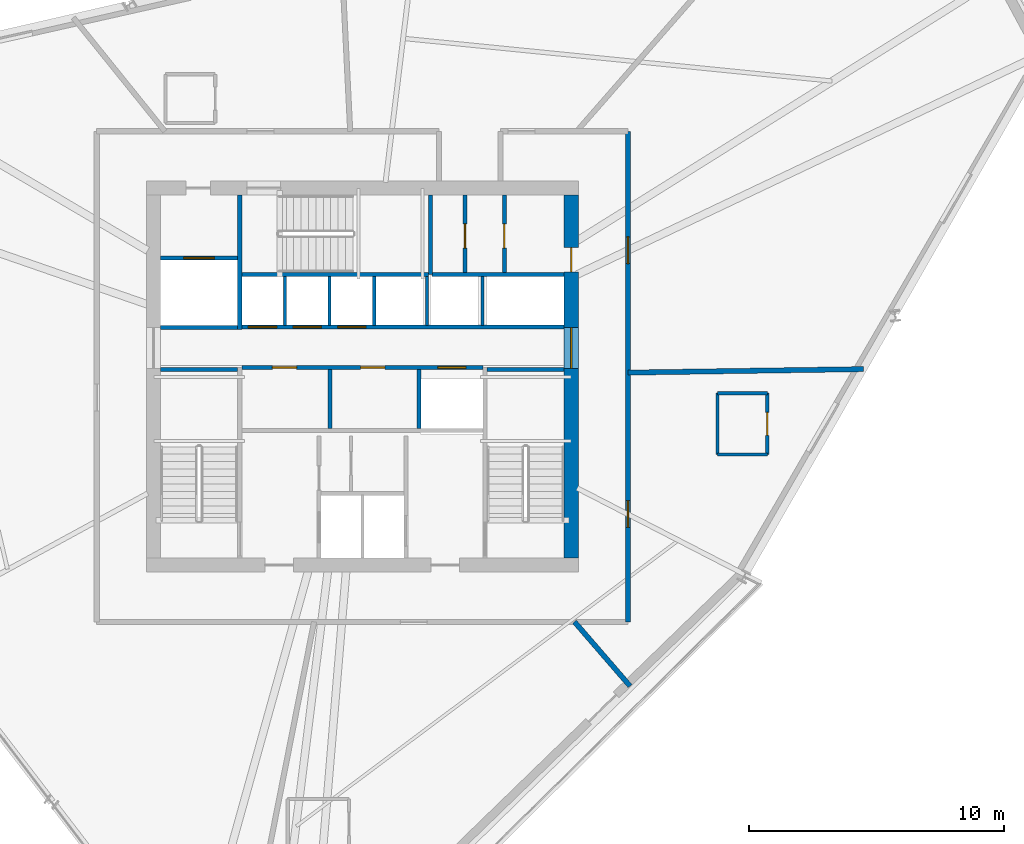
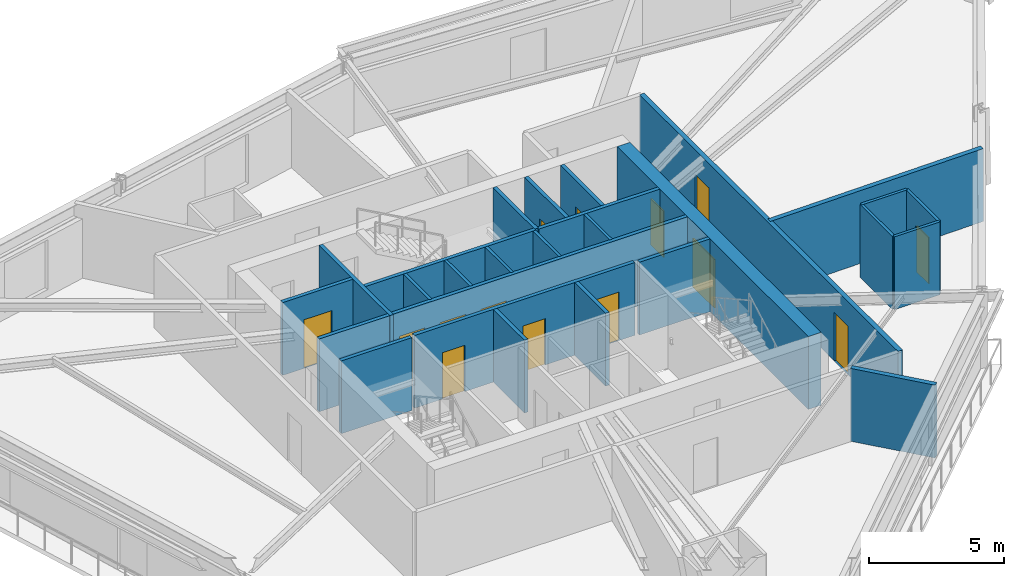
# One storey, part 9 of 14: 27 walls, 14 doors, 14 openings.
"""IFC4 building model written with IfcOpenShell, lengths in metres."""

from ifc_helpers import new_model, si_unit, direction, frame, frame_2d, origin, place, context, subcontext, project, spatial, rectangle, extrude, source, transform, mapped, material, layer, layer_set, type_object, type_shapes, element, fill, save


model = new_model("IFC4")

# Units and contexts
model_context = context("Model", 3, precision=1e-05, world=origin(), true_north=direction((0.0, 1.0)))
body_context = subcontext(model_context, "Body", "Model", "MODEL_VIEW")
ifc_project = project(units=[si_unit("LENGTHUNIT", "METRE"), si_unit("AREAUNIT", "SQUARE_METRE"), si_unit("VOLUMEUNIT", "CUBIC_METRE"), si_unit("PLANEANGLEUNIT", "RADIAN"), si_unit("MASSUNIT", "GRAM", prefix="KILO")], contexts=[model_context])

# Site, building, storey
site_placement = place(None, origin())
site = spatial("IfcSite", under=ifc_project, at=site_placement, CompositionType="ELEMENT")
building_placement = place(site_placement, origin())
building = spatial("IfcBuilding", under=site, at=building_placement, Name="Olszyna Solenne Hotel", CompositionType="ELEMENT")
storey_placement = place(building_placement, frame((0.0, 0.0, 153.699951171875)))
storey = spatial("IfcBuildingStorey", under=building, at=storey_placement, Name="L40", CompositionType="ELEMENT", Elevation=153.699951171875)

# Wall, openings, doors
ifc_material_1 = material(Name="Concrete C50/60", Category="concrete")
ifc_layer_1 = layer(ifc_material_1, 0.550048828125, Name="Concrete C50/60")
ifc_layer_set_1 = layer_set([ifc_layer_1], Name="Concrete C50/60")
wall_type_1 = type_object("IfcWallType", Name="WL-CR550", PredefinedType="SHEAR", material=ifc_layer_set_1)
wall_1_placement = place(storey_placement, frame((46.175048828125, 33.699951171875, 0.0), z_axis=(0.0, 0.0, 1.0), x_axis=(0.0, -1.0, 0.0)))
wall_1 = element("IfcWall", 1, at=wall_1_placement, inside=storey, type_object=wall_type_1, Name="Core shear wall WL-CR550 CRW-L40-E", PredefinedType="SHEAR", context=body_context, shape_type="SweptSolid", body=[
    extrude(rectangle(XDim=14.199951171875, YDim=0.550048828125, at=frame_2d((7.10009765625, 0.0))), origin(), (0.0, 0.0, 1.0), 3.300048828125),
])
opening_1_placement = place(wall_1_placement, frame((5.179931640625, 0.0, 0.0)))
opening_1 = element("IfcOpeningElement", 2, at=opening_1_placement, cuts=wall_1, Name="Opening LHD-L40-E", PredefinedType="OPENING", context=body_context, shape_type="SweptSolid", body=[
    extrude(rectangle(XDim=1.60009765625, YDim=2.199951171875, at=frame_2d((0.800048828125, 1.10009765625))), frame((0.0, 0.28515625, 0.0), z_axis=(0.0, -1.0, 0.0), x_axis=(1.0, 0.0, 0.0)), (0.0, 0.0, 1.0), 0.570068359375),
])
opening_2_placement = place(wall_1_placement, frame((2.050048828125, 0.0, 0.0)))
opening_2 = element("IfcOpeningElement", 3, at=opening_2_placement, cuts=wall_1, Name="Opening SVD-L40-BE", PredefinedType="OPENING", context=body_context, shape_type="SweptSolid", body=[
    extrude(rectangle(XDim=0.949951171875, YDim=2.10009765625, at=frame_2d((0.47509765625, 1.050048828125))), frame((0.0, 0.28515625, 0.0), z_axis=(0.0, -1.0, 0.0), x_axis=(1.0, 0.0, 0.0)), (0.0, 0.0, 1.0), 0.570068359375),
])
ifc_material_2 = material(Name="Steel S355J2", Category="steel")
door_type_1 = type_object("IfcDoorType", Name="DR-SV1", OperationType="NOTDEFINED", PredefinedType="DOOR", material=ifc_material_2)
shared_shape_1 = source(origin(), body_context, "Body", "SweptSolid", [
    extrude(rectangle(XDim=0.949951171875, YDim=2.10009765625, at=frame_2d((0.47509765625, 1.050048828125))), frame((0.0, 0.02490234375, 0.0), z_axis=(0.0, -1.0, 0.0), x_axis=(1.0, 0.0, 0.0)), (0.0, 0.0, 1.0), 0.050048828125),
])
type_shapes(door_type_1, [shared_shape_1])
door_1_placement = place(opening_2_placement, origin())
door_1 = element("IfcDoor", 4, at=door_1_placement, inside=storey, type_object=door_type_1, Name="Housekeeping core fire door SVD-L40-BE", OperationType="SINGLE_SWING_RIGHT", OverallHeight=2.10009765625, OverallWidth=0.949951171875, PredefinedType="DOOR", context=body_context, shape_type="MappedRepresentation", body=[
    mapped(shared_shape_1, transform((0.0, 0.0, 0.0), x_axis=(1.0, 0.0, 0.0), y_axis=(0.0, 1.0, 0.0), z_axis=(0.0, 0.0, 1.0), scale=1.0)),
])
fill(opening_2, door_1)
ifc_material_3 = material(Name="Timber hardwood", Category="wood")
door_type_2 = type_object("IfcDoorType", Name="DR-CR1", OperationType="DOUBLE_DOOR_SINGLE_SWING", PredefinedType="DOOR", material=ifc_material_3)
shared_shape_2 = source(origin(), body_context, "Body", "SweptSolid", [
    extrude(rectangle(XDim=1.60009765625, YDim=2.199951171875, at=frame_2d((0.800048828125, 1.10009765625))), frame((0.0, 0.02490234375, 0.0), z_axis=(0.0, -1.0, 0.0), x_axis=(1.0, 0.0, 0.0)), (0.0, 0.0, 1.0), 0.050048828125),
])
type_shapes(door_type_2, [shared_shape_2])
door_2_placement = place(opening_1_placement, origin())
door_2 = element("IfcDoor", 5, at=door_2_placement, inside=storey, type_object=door_type_2, Name="Passenger lift lobby East fire door LHD-L40-E", OperationType="DOUBLE_DOOR_SINGLE_SWING", OverallHeight=2.199951171875, OverallWidth=1.60009765625, PredefinedType="DOOR", context=body_context, shape_type="MappedRepresentation", body=[
    mapped(shared_shape_2, transform((0.0, 0.0, 0.0), x_axis=(1.0, 0.0, 0.0), y_axis=(0.0, 1.0, 0.0), z_axis=(0.0, 0.0, 1.0), scale=1.0)),
])
fill(opening_1, door_2)

# Walls
ifc_material_4 = material(Name="Acoustic gypsum partition", Category="gypsum")
ifc_layer_2 = layer(ifc_material_4, 0.125, Name="Acoustic gypsum partition")
ifc_layer_set_2 = layer_set([ifc_layer_2], Name="Acoustic gypsum partition")
wall_type_2 = type_object("IfcWallType", Name="WL-PT125", PredefinedType="PARTITIONING", material=ifc_layer_set_2)
for number, where, z_axis, x_axis, name in (
    (6, (34.965087890625, 28.60009765625, 0.0), (0.0, 0.0, 1.0), (0.0, 1.0, 0.0), "Core shaft compartment wall CW-L40-DIVN349"),
    (7, (36.715087890625, 28.60009765625, 0.0), (0.0, 0.0, 1.0), (0.0, 1.0, 0.0), "Core shaft compartment wall CW-L40-DIVN367"),
    (8, (38.465087890625, 28.60009765625, 0.0), (0.0, 0.0, 1.0), (0.0, 1.0, 0.0), "Core shaft compartment wall CW-L40-DIVN384"),
    (9, (40.52490234375, 28.60009765625, 0.0), (0.0, 0.0, 1.0), (0.0, 1.0, 0.0), "Core shaft compartment wall CW-L40-DIVEX405"),
    (10, (42.699951171875, 28.60009765625, 0.0), (0.0, 0.0, 1.0), (0.0, 1.0, 0.0), "Core shaft compartment wall CW-L40-DIVEX427"),
):
    element("IfcWall", number, at=place(storey_placement, frame(where, z_axis=z_axis, x_axis=x_axis)), inside=storey, type_object=wall_type_2, Name=name, PredefinedType="PARTITIONING", context=body_context, shape_type="SweptSolid", body=[
        extrude(rectangle(XDim=1.919921875, YDim=0.125, at=frame_2d((0.9599609375, 0.0))), origin(), (0.0, 0.0, 1.0), 3.300048828125),
    ])

# Wall, opening, door
wall_2_placement = place(storey_placement, frame((53.846923828125, 23.548095703125, 0.0), z_axis=(0.0, 0.0, 1.0), x_axis=(0.0, 1.0, 0.0)))
wall_2 = element("IfcWall", 11, at=wall_2_placement, inside=storey, type_object=wall_type_2, Name="Interior acoustic partition WL-PT125 PW-L40-2271", PredefinedType="PARTITIONING", context=body_context, shape_type="SweptSolid", body=[
    extrude(rectangle(XDim=2.39990234375, YDim=0.125, at=frame_2d((1.199951171875, 0.0))), origin(), (0.0, 0.0, 1.0), 3.300048828125),
])
opening_3_placement = place(wall_2_placement, frame((0.75, 0.0, 0.0)))
opening_3 = element("IfcOpeningElement", 12, at=opening_3_placement, cuts=wall_2, Name="Opening DR-L40-0549", PredefinedType="OPENING", context=body_context, shape_type="SweptSolid", body=[
    extrude(rectangle(XDim=0.89990234375, YDim=2.10009765625, at=frame_2d((0.449951171875, 1.050048828125))), frame((0.0, 0.072509765625, 0.0), z_axis=(0.0, -1.0, 0.0), x_axis=(1.0, 0.0, 0.0)), (0.0, 0.0, 1.0), 0.14501953125),
])
door_type_3 = type_object("IfcDoorType", Name="DR-WC1", OperationType="NOTDEFINED", PredefinedType="DOOR", material=ifc_material_3)
shared_shape_3 = source(origin(), body_context, "Body", "SweptSolid", [
    extrude(rectangle(XDim=0.89990234375, YDim=2.10009765625, at=frame_2d((0.449951171875, 1.050048828125))), frame((0.0, 0.02490234375, 0.0), z_axis=(0.0, -1.0, 0.0), x_axis=(1.0, 0.0, 0.0)), (0.0, 0.0, 1.0), 0.050048828125),
])
type_shapes(door_type_3, [shared_shape_3])
door_3_placement = place(opening_3_placement, origin())
door_3 = element("IfcDoor", 13, at=door_3_placement, inside=storey, type_object=door_type_3, Name="En-Suite Bathroom Door DR-L40-0549", OperationType="SINGLE_SWING_RIGHT", OverallHeight=2.10009765625, OverallWidth=0.89990234375, PredefinedType="DOOR", context=body_context, shape_type="MappedRepresentation", body=[
    mapped(shared_shape_3, transform((0.0, 0.0, 0.0), x_axis=(1.0, 0.0, 0.0), y_axis=(0.0, 1.0, 0.0), z_axis=(0.0, 0.0, 1.0), scale=1.0)),
])
fill(opening_3, door_3)

# Walls
wall_3_placement = place(storey_placement, frame((53.846923828125, 25.947998046875, 0.0), z_axis=(0.0, 0.0, 1.0), x_axis=(-1.0, 0.0, 0.0)))
element("IfcWall", 14, at=wall_3_placement, inside=storey, type_object=wall_type_2, Name="Interior acoustic partition WL-PT125 PW-L40-2272", PredefinedType="PARTITIONING", context=body_context, shape_type="SweptSolid", body=[
    extrude(rectangle(XDim=1.949951171875, YDim=0.125, at=frame_2d((0.97509765625, 0.0))), origin(), (0.0, 0.0, 1.0), 3.300048828125),
])
wall_4_placement = place(storey_placement, frame((51.89697265625, 25.947998046875, 0.0), z_axis=(0.0, 0.0, 1.0), x_axis=(0.0, -1.0, 0.0)))
element("IfcWall", 15, at=wall_4_placement, inside=storey, type_object=wall_type_2, Name="Interior acoustic partition WL-PT125 PW-L40-2273", PredefinedType="PARTITIONING", context=body_context, shape_type="SweptSolid", body=[
    extrude(rectangle(XDim=2.39990234375, YDim=0.125, at=frame_2d((1.199951171875, 0.0))), origin(), (0.0, 0.0, 1.0), 3.300048828125),
])
wall_5_placement = place(storey_placement, frame((51.89697265625, 23.548095703125, 0.0), z_axis=(0.0, 0.0, 1.0), x_axis=(1.0, 0.0, 0.0)))
element("IfcWall", 16, at=wall_5_placement, inside=storey, type_object=wall_type_2, Name="Interior acoustic partition WL-PT125 PW-L40-2274", PredefinedType="PARTITIONING", context=body_context, shape_type="SweptSolid", body=[
    extrude(rectangle(XDim=1.949951171875, YDim=0.125, at=frame_2d((0.97509765625, 0.0))), origin(), (0.0, 0.0, 1.0), 3.300048828125),
])
ifc_layer_3 = layer(ifc_material_4, 0.159912109375, Name="Acoustic gypsum partition")
ifc_layer_set_3 = layer_set([ifc_layer_3], Name="Acoustic gypsum partition")
wall_type_3 = type_object("IfcWallType", Name="WL-PT160", PredefinedType="PARTITIONING", material=ifc_layer_set_3)
for number, where, z_axis, x_axis, name in (
    (17, (30.10009765625, 26.8798828125, 0.0), (0.0, 0.0, 1.0), (1.0, 0.0, 0.0), "Core shaft compartment wall CW-L40-ST1N"),
    (18, (42.8798828125, 26.8798828125, 0.0), (0.0, 0.0, 1.0), (1.0, 0.0, 0.0), "Core shaft compartment wall CW-L40-ST2N"),
):
    element("IfcWall", number, at=place(storey_placement, frame(where, z_axis=z_axis, x_axis=x_axis)), inside=storey, type_object=wall_type_3, Name=name, PredefinedType="PARTITIONING", context=body_context, shape_type="SweptSolid", body=[
        extrude(rectangle(XDim=3.02001953125, YDim=0.159912109375, at=frame_2d((1.510009765625, 0.0))), origin(), (0.0, 0.0, 1.0), 3.300048828125),
    ])
wall_6_placement = place(storey_placement, frame((33.280029296875, 30.60009765625, 0.0), z_axis=(0.0, 0.0, 1.0), x_axis=(1.0, 0.0, 0.0)))
element("IfcWall", 19, at=wall_6_placement, inside=storey, type_object=wall_type_3, Name="Core shaft compartment wall CW-L40-ST3S", PredefinedType="PARTITIONING", context=body_context, shape_type="SweptSolid", body=[
    extrude(rectangle(XDim=7.300048828125, YDim=0.159912109375, at=frame_2d((3.64990234375, 0.0))), origin(), (0.0, 0.0, 1.0), 3.300048828125),
])
wall_7_placement = place(storey_placement, frame((40.659912109375, 30.60009765625, 0.0), z_axis=(0.0, 0.0, 1.0), x_axis=(0.0, 1.0, 0.0)))
element("IfcWall", 20, at=wall_7_placement, inside=storey, type_object=wall_type_3, Name="Core shaft compartment wall CW-L40-ST3E", PredefinedType="PARTITIONING", context=body_context, shape_type="SweptSolid", body=[
    extrude(rectangle(XDim=3.099853515625, YDim=0.159912109375, at=frame_2d((1.5498046875, 0.0))), origin(), (0.0, 0.0, 1.0), 3.300048828125),
])
wall_8_placement = place(storey_placement, frame((30.10009765625, 28.52001953125, 0.0), z_axis=(0.0, 0.0, 1.0), x_axis=(1.0, 0.0, 0.0)))
element("IfcWall", 21, at=wall_8_placement, inside=storey, type_object=wall_type_3, Name="Core shaft compartment wall CW-L40-SV1S", PredefinedType="PARTITIONING", context=body_context, shape_type="SweptSolid", body=[
    extrude(rectangle(XDim=3.02001953125, YDim=0.159912109375, at=frame_2d((1.510009765625, 0.0))), origin(), (0.0, 0.0, 1.0), 3.300048828125),
])
wall_9_placement = place(storey_placement, frame((33.199951171875, 28.43994140625, 0.0), z_axis=(0.0, 0.0, 1.0), x_axis=(0.0, 1.0, 0.0)))
element("IfcWall", 22, at=wall_9_placement, inside=storey, type_object=wall_type_3, Name="Core shaft compartment wall CW-L40-SV1E", PredefinedType="PARTITIONING", context=body_context, shape_type="SweptSolid", body=[
    extrude(rectangle(XDim=5.260009765625, YDim=0.159912109375, at=frame_2d((2.6298828125, 0.0))), origin(), (0.0, 0.0, 1.0), 3.300048828125),
])

# Wall, opening, door
wall_10_placement = place(storey_placement, frame((30.10009765625, 31.239990234375, 0.0), z_axis=(0.0, 0.0, 1.0), x_axis=(1.0, 0.0, 0.0)))
wall_10 = element("IfcWall", 23, at=wall_10_placement, inside=storey, type_object=wall_type_3, Name="Core shaft compartment wall CW-L40-SV1N", PredefinedType="PARTITIONING", context=body_context, shape_type="SweptSolid", body=[
    extrude(rectangle(XDim=3.02001953125, YDim=0.159912109375, at=frame_2d((1.510009765625, 0.0))), origin(), (0.0, 0.0, 1.0), 3.300048828125),
])
opening_4_placement = place(wall_10_placement, frame((0.909912109375, 0.0, 0.0)))
opening_4 = element("IfcOpeningElement", 24, at=opening_4_placement, cuts=wall_10, Name="Opening LD-L40-SV1", PredefinedType="OPENING", context=body_context, shape_type="SweptSolid", body=[
    extrude(rectangle(XDim=1.199951171875, YDim=2.199951171875, at=frame_2d((0.60009765625, 1.10009765625))), frame((0.0, 0.08984375, 0.0), z_axis=(0.0, -1.0, 0.0), x_axis=(1.0, 0.0, 0.0)), (0.0, 0.0, 1.0), 0.179931640625),
])
door_type_4 = type_object("IfcDoorType", Name="LD-FF1", OperationType="DOUBLE_DOOR_SLIDING", PredefinedType="DOOR", material=ifc_material_2)
shared_shape_4 = source(origin(), body_context, "Body", "SweptSolid", [
    extrude(rectangle(XDim=1.199951171875, YDim=2.199951171875, at=frame_2d((0.60009765625, 1.10009765625))), frame((0.0, 0.02490234375, 0.0), z_axis=(0.0, -1.0, 0.0), x_axis=(1.0, 0.0, 0.0)), (0.0, 0.0, 1.0), 0.050048828125),
])
type_shapes(door_type_4, [shared_shape_4])
door_4_placement = place(opening_4_placement, origin())
door_4 = element("IfcDoor", 25, at=door_4_placement, inside=storey, type_object=door_type_4, Name="Service lift SV1 sliding landing door LD-L40-SV1", OperationType="DOUBLE_DOOR_SLIDING", OverallHeight=2.199951171875, OverallWidth=1.199951171875, PredefinedType="DOOR", context=body_context, shape_type="MappedRepresentation", body=[
    mapped(shared_shape_4, transform((0.0, 0.0, 0.0), x_axis=(1.0, 0.0, 0.0), y_axis=(0.0, 1.0, 0.0), z_axis=(0.0, 0.0, 1.0), scale=1.0)),
])
fill(opening_4, door_4)

# Wall, openings, doors
wall_11_placement = place(storey_placement, frame((33.280029296875, 26.949951171875, 0.0), z_axis=(0.0, 0.0, 1.0), x_axis=(1.0, 0.0, 0.0)))
wall_11 = element("IfcWall", 26, at=wall_11_placement, inside=storey, type_object=wall_type_3, Name="Core shaft compartment wall CW-L40-LRS", PredefinedType="PARTITIONING", context=body_context, shape_type="SweptSolid", body=[
    extrude(rectangle(XDim=9.43994140625, YDim=0.159912109375, at=frame_2d((4.719970703125, 0.0))), origin(), (0.0, 0.0, 1.0), 3.300048828125),
])
opening_5_placement = place(wall_11_placement, frame((1.199951171875, 0.0, 0.0)))
opening_5 = element("IfcOpeningElement", 27, at=opening_5_placement, cuts=wall_11, Name="Opening SVD-L40-L71", PredefinedType="OPENING", context=body_context, shape_type="SweptSolid", body=[
    extrude(rectangle(XDim=0.949951171875, YDim=2.10009765625, at=frame_2d((0.47509765625, 1.050048828125))), frame((0.0, 0.08984375, 0.0), z_axis=(0.0, -1.0, 0.0), x_axis=(1.0, 0.0, 0.0)), (0.0, 0.0, 1.0), 0.179931640625),
])
opening_6_placement = place(wall_11_placement, frame((4.64990234375, 0.0, 0.0)))
opening_6 = element("IfcOpeningElement", 28, at=opening_6_placement, cuts=wall_11, Name="Opening SVD-L40-L72", PredefinedType="OPENING", context=body_context, shape_type="SweptSolid", body=[
    extrude(rectangle(XDim=0.949951171875, YDim=2.10009765625, at=frame_2d((0.47509765625, 1.050048828125))), frame((0.0, 0.08984375, 0.0), z_axis=(0.0, -1.0, 0.0), x_axis=(1.0, 0.0, 0.0)), (0.0, 0.0, 1.0), 0.179931640625),
])
opening_7_placement = place(wall_11_placement, frame((7.669921875, 0.0, 0.0)))
opening_7 = element("IfcOpeningElement", 29, at=opening_7_placement, cuts=wall_11, Name="Opening LD-L40-PL5", PredefinedType="OPENING", context=body_context, shape_type="SweptSolid", body=[
    extrude(rectangle(XDim=1.10009765625, YDim=2.199951171875, at=frame_2d((0.550048828125, 1.10009765625))), frame((0.0, 0.08984375, 0.0), z_axis=(0.0, -1.0, 0.0), x_axis=(1.0, 0.0, 0.0)), (0.0, 0.0, 1.0), 0.179931640625),
])
door_5_placement = place(opening_5_placement, origin())
door_5 = element("IfcDoor", 30, at=door_5_placement, inside=storey, type_object=door_type_1, Name="Recaptured core room fire door SVD-L40-L71", OperationType="SINGLE_SWING_LEFT", OverallHeight=2.10009765625, OverallWidth=0.949951171875, PredefinedType="DOOR", context=body_context, shape_type="MappedRepresentation", body=[
    mapped(shared_shape_1, transform((0.0, 0.0, 0.0), x_axis=(1.0, 0.0, 0.0), y_axis=(0.0, 1.0, 0.0), z_axis=(0.0, 0.0, 1.0), scale=1.0)),
])
fill(opening_5, door_5)
door_6_placement = place(opening_6_placement, origin())
door_6 = element("IfcDoor", 31, at=door_6_placement, inside=storey, type_object=door_type_1, Name="Recaptured core room fire door SVD-L40-L72", OperationType="SINGLE_SWING_RIGHT", OverallHeight=2.10009765625, OverallWidth=0.949951171875, PredefinedType="DOOR", context=body_context, shape_type="MappedRepresentation", body=[
    mapped(shared_shape_1, transform((0.0, 0.0, 0.0), x_axis=(1.0, 0.0, 0.0), y_axis=(0.0, 1.0, 0.0), z_axis=(0.0, 0.0, 1.0), scale=1.0)),
])
fill(opening_6, door_6)
door_type_5 = type_object("IfcDoorType", Name="LD-P1", OperationType="DOUBLE_DOOR_SLIDING", PredefinedType="DOOR", material=ifc_material_2)
shared_shape_5 = source(origin(), body_context, "Body", "SweptSolid", [
    extrude(rectangle(XDim=1.10009765625, YDim=2.199951171875, at=frame_2d((0.550048828125, 1.10009765625))), frame((0.0, 0.02490234375, 0.0), z_axis=(0.0, -1.0, 0.0), x_axis=(1.0, 0.0, 0.0)), (0.0, 0.0, 1.0), 0.050048828125),
])
type_shapes(door_type_5, [shared_shape_5])
door_7_placement = place(opening_7_placement, origin())
door_7 = element("IfcDoor", 32, at=door_7_placement, inside=storey, type_object=door_type_5, Name="Passenger lift PL5 sliding landing door LD-L40-PL5", OperationType="DOUBLE_DOOR_SLIDING", OverallHeight=2.199951171875, OverallWidth=1.10009765625, PredefinedType="DOOR", context=body_context, shape_type="MappedRepresentation", body=[
    mapped(shared_shape_5, transform((0.0, 0.0, 0.0), x_axis=(1.0, 0.0, 0.0), y_axis=(0.0, 1.0, 0.0), z_axis=(0.0, 0.0, 1.0), scale=1.0)),
])
fill(opening_7, door_7)

# Walls
for number, where, z_axis, x_axis, name in (
    (33, (36.72998046875, 24.56005859375, 0.0), (0.0, 0.0, 1.0), (0.0, 1.0, 0.0), "Core shaft compartment wall CW-L40-LV7DIV1"),
    (34, (40.215087890625, 24.56005859375, 0.0), (0.0, 0.0, 1.0), (0.0, 1.0, 0.0), "Core shaft compartment wall CW-L40-LV7DIV2"),
):
    element("IfcWall", number, at=place(storey_placement, frame(where, z_axis=z_axis, x_axis=x_axis)), inside=storey, type_object=wall_type_3, Name=name, PredefinedType="PARTITIONING", context=body_context, shape_type="SweptSolid", body=[
        extrude(rectangle(XDim=2.31005859375, YDim=0.159912109375, at=frame_2d((1.155029296875, 0.0))), origin(), (0.0, 0.0, 1.0), 3.300048828125),
    ])

# Wall, openings, doors
wall_12_placement = place(storey_placement, frame((33.280029296875, 28.5400390625, 0.0), z_axis=(0.0, 0.0, 1.0), x_axis=(1.0, 0.0, 0.0)))
wall_12 = element("IfcWall", 35, at=wall_12_placement, inside=storey, type_object=wall_type_3, Name="Core shaft compartment wall CW-L40-LRN", PredefinedType="PARTITIONING", context=body_context, shape_type="SweptSolid", body=[
    extrude(rectangle(XDim=12.619873046875, YDim=0.159912109375, at=frame_2d((6.31005859375, 0.0))), origin(), (0.0, 0.0, 1.0), 3.300048828125),
])
opening_8_placement = place(wall_12_placement, frame((0.260009765625, 0.0, 0.0)))
opening_8 = element("IfcOpeningElement", 36, at=opening_8_placement, cuts=wall_12, Name="Opening LD-L40-PL6", PredefinedType="OPENING", context=body_context, shape_type="SweptSolid", body=[
    extrude(rectangle(XDim=1.10009765625, YDim=2.199951171875, at=frame_2d((0.550048828125, 1.10009765625))), frame((0.0, 0.08984375, 0.0), z_axis=(0.0, -1.0, 0.0), x_axis=(1.0, 0.0, 0.0)), (0.0, 0.0, 1.0), 0.179931640625),
])
opening_9_placement = place(wall_12_placement, frame((2.010009765625, 0.0, 0.0)))
opening_9 = element("IfcOpeningElement", 37, at=opening_9_placement, cuts=wall_12, Name="Opening LD-L40-PL7", PredefinedType="OPENING", context=body_context, shape_type="SweptSolid", body=[
    extrude(rectangle(XDim=1.10009765625, YDim=2.199951171875, at=frame_2d((0.550048828125, 1.10009765625))), frame((0.0, 0.08984375, 0.0), z_axis=(0.0, -1.0, 0.0), x_axis=(1.0, 0.0, 0.0)), (0.0, 0.0, 1.0), 0.179931640625),
])
opening_10_placement = place(wall_12_placement, frame((3.760009765625, 0.0, 0.0)))
opening_10 = element("IfcOpeningElement", 38, at=opening_10_placement, cuts=wall_12, Name="Opening LD-L40-PL8", PredefinedType="OPENING", context=body_context, shape_type="SweptSolid", body=[
    extrude(rectangle(XDim=1.10009765625, YDim=2.199951171875, at=frame_2d((0.550048828125, 1.10009765625))), frame((0.0, 0.08984375, 0.0), z_axis=(0.0, -1.0, 0.0), x_axis=(1.0, 0.0, 0.0)), (0.0, 0.0, 1.0), 0.179931640625),
])
door_8_placement = place(opening_8_placement, origin())
door_8 = element("IfcDoor", 39, at=door_8_placement, inside=storey, type_object=door_type_5, Name="Passenger lift PL6 sliding landing door LD-L40-PL6", OperationType="DOUBLE_DOOR_SLIDING", OverallHeight=2.199951171875, OverallWidth=1.10009765625, PredefinedType="DOOR", context=body_context, shape_type="MappedRepresentation", body=[
    mapped(shared_shape_5, transform((0.0, 0.0, 0.0), x_axis=(1.0, 0.0, 0.0), y_axis=(0.0, 1.0, 0.0), z_axis=(0.0, 0.0, 1.0), scale=1.0)),
])
fill(opening_8, door_8)
door_9_placement = place(opening_9_placement, origin())
door_9 = element("IfcDoor", 40, at=door_9_placement, inside=storey, type_object=door_type_5, Name="Passenger lift PL7 sliding landing door LD-L40-PL7", OperationType="DOUBLE_DOOR_SLIDING", OverallHeight=2.199951171875, OverallWidth=1.10009765625, PredefinedType="DOOR", context=body_context, shape_type="MappedRepresentation", body=[
    mapped(shared_shape_5, transform((0.0, 0.0, 0.0), x_axis=(1.0, 0.0, 0.0), y_axis=(0.0, 1.0, 0.0), z_axis=(0.0, 0.0, 1.0), scale=1.0)),
])
fill(opening_9, door_9)
door_10_placement = place(opening_10_placement, origin())
door_10 = element("IfcDoor", 41, at=door_10_placement, inside=storey, type_object=door_type_5, Name="Passenger lift PL8 sliding landing door LD-L40-PL8", OperationType="DOUBLE_DOOR_SLIDING", OverallHeight=2.199951171875, OverallWidth=1.10009765625, PredefinedType="DOOR", context=body_context, shape_type="MappedRepresentation", body=[
    mapped(shared_shape_5, transform((0.0, 0.0, 0.0), x_axis=(1.0, 0.0, 0.0), y_axis=(0.0, 1.0, 0.0), z_axis=(0.0, 0.0, 1.0), scale=1.0)),
])
fill(opening_10, door_10)

# Wall
wall_13_placement = place(storey_placement, frame((40.719970703125, 30.60009765625, 0.0), z_axis=(0.0, 0.0, 1.0), x_axis=(1.0, 0.0, 0.0)))
element("IfcWall", 42, at=wall_13_placement, inside=storey, type_object=wall_type_3, Name="Core shaft compartment wall CW-L40-LRNTOP", PredefinedType="PARTITIONING", context=body_context, shape_type="SweptSolid", body=[
    extrude(rectangle(XDim=5.179931640625, YDim=0.159912109375, at=frame_2d((2.58984375, 0.0))), origin(), (0.0, 0.0, 1.0), 3.300048828125),
])

# Wall, opening, door
wall_14_placement = place(storey_placement, frame((42.014892578125, 30.679931640625, 0.0), z_axis=(0.0, 0.0, 1.0), x_axis=(0.0, 1.0, 0.0)))
wall_14 = element("IfcWall", 43, at=wall_14_placement, inside=storey, type_object=wall_type_3, Name="Core shaft compartment wall CW-L40-BOH3A", PredefinedType="PARTITIONING", context=body_context, shape_type="SweptSolid", body=[
    extrude(rectangle(XDim=3.02001953125, YDim=0.159912109375, at=frame_2d((1.510009765625, 0.0))), origin(), (0.0, 0.0, 1.0), 3.300048828125),
])
opening_11_placement = place(wall_14_placement, frame((0.949951171875, 0.0, 0.0)))
opening_11 = element("IfcOpeningElement", 44, at=opening_11_placement, cuts=wall_14, Name="Opening SVD-L40-B31", PredefinedType="OPENING", context=body_context, shape_type="SweptSolid", body=[
    extrude(rectangle(XDim=0.949951171875, YDim=2.10009765625, at=frame_2d((0.47509765625, 1.050048828125))), frame((0.0, 0.08984375, 0.0), z_axis=(0.0, -1.0, 0.0), x_axis=(1.0, 0.0, 0.0)), (0.0, 0.0, 1.0), 0.179931640625),
])
door_11_placement = place(opening_11_placement, origin())
door_11 = element("IfcDoor", 45, at=door_11_placement, inside=storey, type_object=door_type_1, Name="BOH inter-room fire door SVD-L40-B31", OperationType="SINGLE_SWING_LEFT", OverallHeight=2.10009765625, OverallWidth=0.949951171875, PredefinedType="DOOR", context=body_context, shape_type="MappedRepresentation", body=[
    mapped(shared_shape_1, transform((0.0, 0.0, 0.0), x_axis=(1.0, 0.0, 0.0), y_axis=(0.0, 1.0, 0.0), z_axis=(0.0, 0.0, 1.0), scale=1.0)),
])
fill(opening_11, door_11)

wall_15_placement = place(storey_placement, frame((43.554931640625, 30.679931640625, 0.0), z_axis=(0.0, 0.0, 1.0), x_axis=(0.0, 1.0, 0.0)))
wall_15 = element("IfcWall", 46, at=wall_15_placement, inside=storey, type_object=wall_type_3, Name="Core shaft compartment wall CW-L40-BOH3B", PredefinedType="PARTITIONING", context=body_context, shape_type="SweptSolid", body=[
    extrude(rectangle(XDim=3.02001953125, YDim=0.159912109375, at=frame_2d((1.510009765625, 0.0))), origin(), (0.0, 0.0, 1.0), 3.300048828125),
])
opening_12_placement = place(wall_15_placement, frame((0.949951171875, 0.0, 0.0)))
opening_12 = element("IfcOpeningElement", 47, at=opening_12_placement, cuts=wall_15, Name="Opening SVD-L40-B32", PredefinedType="OPENING", context=body_context, shape_type="SweptSolid", body=[
    extrude(rectangle(XDim=0.949951171875, YDim=2.10009765625, at=frame_2d((0.47509765625, 1.050048828125))), frame((0.0, 0.08984375, 0.0), z_axis=(0.0, -1.0, 0.0), x_axis=(1.0, 0.0, 0.0)), (0.0, 0.0, 1.0), 0.179931640625),
])
door_12_placement = place(opening_12_placement, origin())
door_12 = element("IfcDoor", 48, at=door_12_placement, inside=storey, type_object=door_type_1, Name="BOH inter-room fire door SVD-L40-B32", OperationType="SINGLE_SWING_LEFT", OverallHeight=2.10009765625, OverallWidth=0.949951171875, PredefinedType="DOOR", context=body_context, shape_type="MappedRepresentation", body=[
    mapped(shared_shape_1, transform((0.0, 0.0, 0.0), x_axis=(1.0, 0.0, 0.0), y_axis=(0.0, 1.0, 0.0), z_axis=(0.0, 0.0, 1.0), scale=1.0)),
])
fill(opening_12, door_12)

# Walls
ifc_layer_4 = layer(ifc_material_4, 0.199951171875, Name="Acoustic gypsum partition")
ifc_layer_set_4 = layer_set([ifc_layer_4], Name="Acoustic gypsum partition")
wall_type_4 = type_object("IfcWallType", Name="WL-PT200", PredefinedType="PARTITIONING", material=ifc_layer_set_4)
wall_16_placement = place(storey_placement, frame((46.301025390625, 17.0, 0.0), z_axis=(0.0, 0.0, 1.0), x_axis=(0.654105377462, -0.756403434137, 0.0)))
element("IfcWall", 49, at=wall_16_placement, inside=storey, type_object=wall_type_4, Name="Interior acoustic partition WL-PT200 PW-L40-2263", PredefinedType="PARTITIONING", context=body_context, shape_type="SweptSolid", body=[
    extrude(rectangle(XDim=3.324462890625, YDim=0.199951171875, at=frame_2d((1.662109375, 0.0))), origin(), (0.0, 0.0, 1.0), 3.300048828125),
])
wall_17_placement = place(storey_placement, frame((48.39990234375, 26.75439453125, 0.0), z_axis=(0.0, 0.0, 1.0), x_axis=(0.999890217611, 0.014817311692, 0.0)))
element("IfcWall", 50, at=wall_17_placement, inside=storey, type_object=wall_type_4, Name="Interior acoustic partition WL-PT200 PW-L40-2264", PredefinedType="PARTITIONING", context=body_context, shape_type="SweptSolid", body=[
    extrude(rectangle(XDim=9.21044921875, YDim=0.199951171875, at=frame_2d((4.605224609375, 0.0))), origin(), (0.0, 0.0, 1.0), 3.300048828125),
])

# Wall, openings, doors
wall_18_placement = place(storey_placement, frame((48.39990234375, 17.0, 0.0), z_axis=(0.0, 0.0, 1.0), x_axis=(0.0, 1.0, 0.0)))
wall_18 = element("IfcWall", 51, at=wall_18_placement, inside=storey, type_object=wall_type_4, Name="Interior acoustic partition WL-PT200 PW-L40-2285", PredefinedType="PARTITIONING", context=body_context, shape_type="SweptSolid", body=[
    extrude(rectangle(XDim=19.199951171875, YDim=0.199951171875, at=frame_2d((9.60009765625, 0.0))), origin(), (0.0, 0.0, 1.0), 3.300048828125),
])
opening_13_placement = place(wall_18_placement, frame((3.695068359375, 0.0, 0.0)))
opening_13 = element("IfcOpeningElement", 52, at=opening_13_placement, cuts=wall_18, Name="Opening DR-L40-0555", PredefinedType="OPENING", context=body_context, shape_type="SweptSolid", body=[
    extrude(rectangle(XDim=1.050048828125, YDim=2.199951171875, at=frame_2d((0.52490234375, 1.10009765625))), frame((0.0, 0.10986328125, 0.0), z_axis=(0.0, -1.0, 0.0), x_axis=(1.0, 0.0, 0.0)), (0.0, 0.0, 1.0), 0.219970703125),
])
opening_14_placement = place(wall_18_placement, frame((14.01806640625, 0.0, 0.0)))
opening_14 = element("IfcOpeningElement", 53, at=opening_14_placement, cuts=wall_18, Name="Opening DR-L40-0556", PredefinedType="OPENING", context=body_context, shape_type="SweptSolid", body=[
    extrude(rectangle(XDim=1.050048828125, YDim=2.199951171875, at=frame_2d((0.52490234375, 1.10009765625))), frame((0.0, 0.10986328125, 0.0), z_axis=(0.0, -1.0, 0.0), x_axis=(1.0, 0.0, 0.0)), (0.0, 0.0, 1.0), 0.219970703125),
])
door_type_6 = type_object("IfcDoorType", Name="DR-RM2", OperationType="NOTDEFINED", PredefinedType="DOOR", material=ifc_material_3)
shared_shape_6 = source(origin(), body_context, "Body", "SweptSolid", [
    extrude(rectangle(XDim=1.050048828125, YDim=2.199951171875, at=frame_2d((0.52490234375, 1.10009765625))), frame((0.0, 0.02490234375, 0.0), z_axis=(0.0, -1.0, 0.0), x_axis=(1.0, 0.0, 0.0)), (0.0, 0.0, 1.0), 0.050048828125),
])
type_shapes(door_type_6, [shared_shape_6])
door_13_placement = place(opening_13_placement, origin())
door_13 = element("IfcDoor", 54, at=door_13_placement, inside=storey, type_object=door_type_6, Name="Premier King Suite Entrance Door DR-L40-0555", OperationType="SINGLE_SWING_RIGHT", OverallHeight=2.199951171875, OverallWidth=1.050048828125, PredefinedType="DOOR", context=body_context, shape_type="MappedRepresentation", body=[
    mapped(shared_shape_6, transform((0.0, 0.0, 0.0), x_axis=(1.0, 0.0, 0.0), y_axis=(0.0, 1.0, 0.0), z_axis=(0.0, 0.0, 1.0), scale=1.0)),
])
fill(opening_13, door_13)
door_14_placement = place(opening_14_placement, origin())
door_14 = element("IfcDoor", 55, at=door_14_placement, inside=storey, type_object=door_type_6, Name="Conference Boardroom Entrance Door DR-L40-0556", OperationType="SINGLE_SWING_LEFT", OverallHeight=2.199951171875, OverallWidth=1.050048828125, PredefinedType="DOOR", context=body_context, shape_type="MappedRepresentation", body=[
    mapped(shared_shape_6, transform((0.0, 0.0, 0.0), x_axis=(1.0, 0.0, 0.0), y_axis=(0.0, 1.0, 0.0), z_axis=(0.0, 0.0, 1.0), scale=1.0)),
])
fill(opening_14, door_14)

save(model, "model.ifc")
